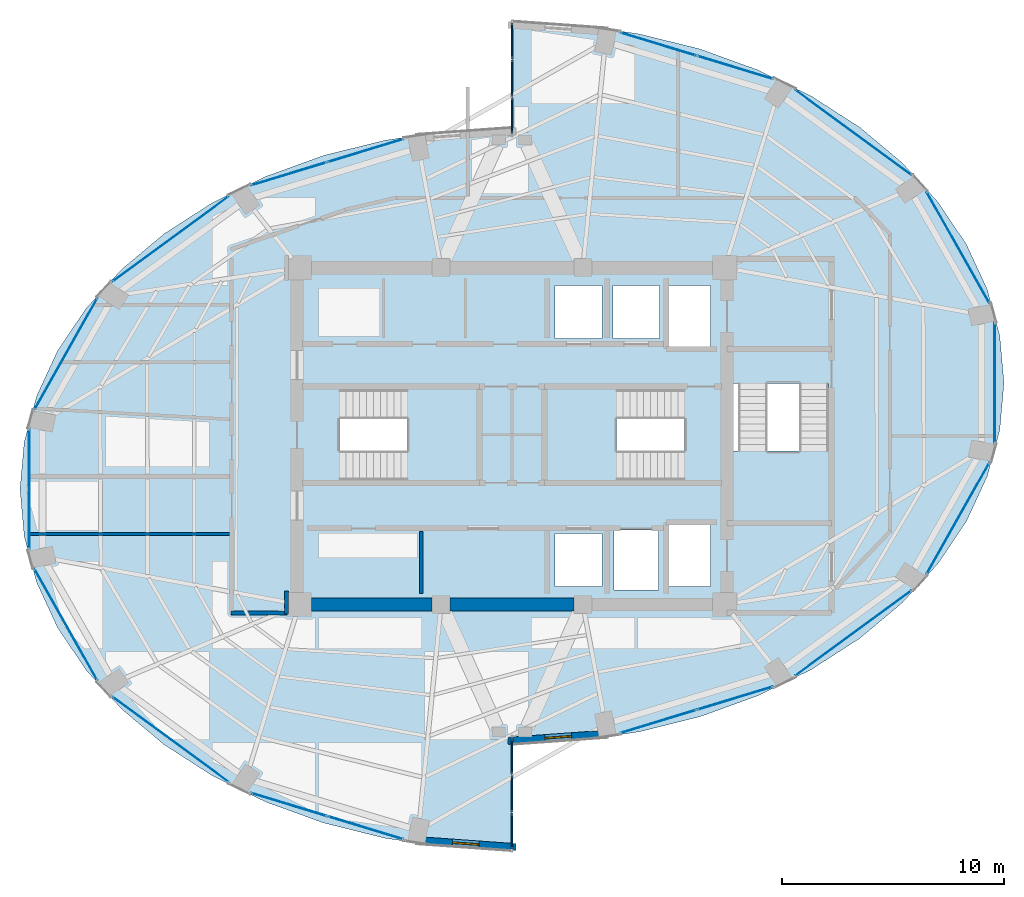
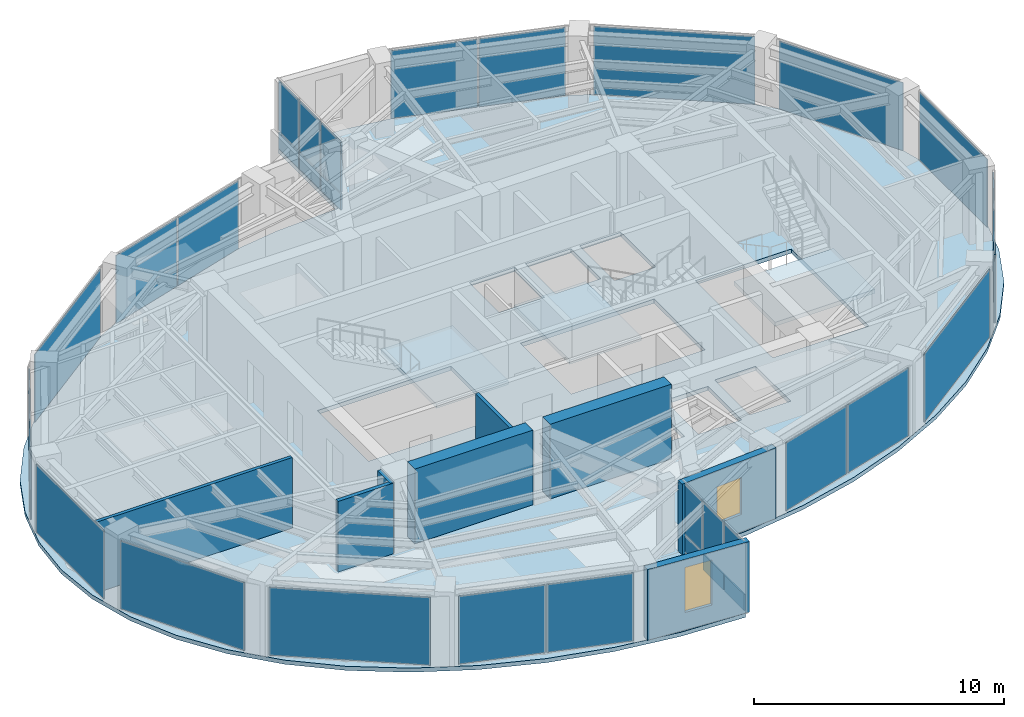
# One storey, part 18 of 23: 30 plates, 8 walls, 4 slabs, 2 windows, 2 openings, 19 elements without a shape of their own.
"""IFC4 building model written with IfcOpenShell, lengths in metres."""

from ifc_helpers import new_model, si_unit, direction, frame, frame_2d, origin, origin_2d, place, context, subcontext, project, spatial, polyline, rectangle, outline, extrude, material, layer, layer_set, type_object, element, fill, aggregate, save


model = new_model("IFC4")

# Units and contexts
model_context = context("Model", 3, precision=1e-05, world=origin(), true_north=direction((0.0, 1.0)))
body_context = subcontext(model_context, "Body", "Model", "MODEL_VIEW")
ifc_project = project(units=[si_unit("LENGTHUNIT", "METRE"), si_unit("AREAUNIT", "SQUARE_METRE"), si_unit("VOLUMEUNIT", "CUBIC_METRE"), si_unit("PLANEANGLEUNIT", "RADIAN"), si_unit("MASSUNIT", "GRAM", prefix="KILO")], contexts=[model_context])

# Site, building, storey
site_placement = place(None, origin())
site = spatial("IfcSite", under=ifc_project, at=site_placement, CompositionType="ELEMENT")
building_placement = place(site_placement, origin())
building = spatial("IfcBuilding", under=site, at=building_placement, Name="Lazwardi Medical Tower", CompositionType="ELEMENT")
storey_placement = place(building_placement, frame((0.0, 0.0, 209.424072265625)))
storey = spatial("IfcBuildingStorey", under=building, at=storey_placement, Name="L54", CompositionType="ELEMENT", Elevation=209.424072265625)

# Curtain wall, plates
ifc_material_1 = material(Name="Anodised bronze aluminium and solar control glazing", Category="aluminium")
ifc_layer_1 = layer(ifc_material_1, 0.18994140625)
ifc_layer_set_1 = layer_set([ifc_layer_1], Name="Anodised bronze aluminium and solar control glazing")
curtain_wall_type_1 = type_object("IfcCurtainWallType", Name="CW-SYS-04", PredefinedType="NOTDEFINED", material=ifc_layer_set_1)
curtain_wall_1_placement = place(storey_placement, origin())
curtain_wall_1 = element("IfcCurtainWall", 1, at=curtain_wall_1_placement, inside=storey, type_object=curtain_wall_type_1, Name="L54 Unitised bronze curtain wall CW-04", PredefinedType="NOTDEFINED")
ifc_material_2 = material(Name="Low-e bronze solar control double glazing", Category="glass")
ifc_layer_2 = layer(ifc_material_2, 0.035888671875)
ifc_layer_set_2 = layer_set([ifc_layer_2], Name="Low-e bronze solar control double glazing")
plate_type_1 = type_object("IfcPlateType", Name="PLT-GLZ-01", PredefinedType="CURTAIN_PANEL", material=ifc_layer_set_2)
plate_1_placement = place(storey_placement, frame((42.604736328125, 15.118896484375, 0.06494140625), z_axis=(0.0, 0.0, 1.0), x_axis=(0.956850126972, 0.290581889515, 0.0)))
plate_1 = element("IfcPlate", 2, at=plate_1_placement, type_object=plate_type_1, Name="CW-04 panel 1.1", PredefinedType="CURTAIN_PANEL", context=body_context, shape_type="SweptSolid", body=[
    extrude(rectangle(XDim=3.554443359375, YDim=0.035888671875, at=origin_2d()), origin(), (0.0, 0.0, 1.0), 3.318115234375),
])
plate_2_placement = place(storey_placement, frame((46.068115234375, 16.170654296875, 0.06494140625), z_axis=(0.0, 0.0, 1.0), x_axis=(0.956850126972, 0.290581889515, 0.0)))
plate_2 = element("IfcPlate", 3, at=plate_2_placement, type_object=plate_type_1, Name="CW-04 panel 2.1", PredefinedType="CURTAIN_PANEL", context=body_context, shape_type="SweptSolid", body=[
    extrude(rectangle(XDim=3.554443359375, YDim=0.035888671875, at=origin_2d()), origin(), (0.0, 0.0, 1.0), 3.318115234375),
])
aggregate(curtain_wall_1, [plate_1, plate_2])

# Curtain wall, plate
curtain_wall_2_placement = place(storey_placement, origin())
curtain_wall_2 = element("IfcCurtainWall", 4, at=curtain_wall_2_placement, inside=storey, type_object=curtain_wall_type_1, Name="L54 Unitised bronze curtain wall CW-04", PredefinedType="NOTDEFINED")
plate_3_placement = place(storey_placement, frame((51.403564453125, 19.106689453125, 0.06494140625), z_axis=(0.0, 0.0, 1.0), x_axis=(0.806474971121, 0.591268230971, 0.0)))
plate_3 = element("IfcPlate", 5, at=plate_3_placement, type_object=plate_type_1, Name="CW-04 panel 1.1", PredefinedType="CURTAIN_PANEL", context=body_context, shape_type="SweptSolid", body=[
    extrude(rectangle(XDim=6.502685546875, YDim=0.035888671875, at=origin_2d()), origin(), (0.0, 0.0, 1.0), 3.318115234375),
])
aggregate(curtain_wall_2, [plate_3])

curtain_wall_3_placement = place(storey_placement, origin())
curtain_wall_3 = element("IfcCurtainWall", 6, at=curtain_wall_3_placement, inside=storey, type_object=curtain_wall_type_1, Name="L54 Unitised bronze curtain wall CW-04", PredefinedType="NOTDEFINED")
plate_4_placement = place(storey_placement, frame((56.125732421875, 24.2880859375, 0.06494140625), z_axis=(0.0, 0.0, 1.0), x_axis=(0.491900474661, 0.870651436011, 0.0)))
plate_4 = element("IfcPlate", 7, at=plate_4_placement, type_object=plate_type_1, Name="CW-04 panel 1.1", PredefinedType="CURTAIN_PANEL", context=body_context, shape_type="SweptSolid", body=[
    extrude(rectangle(XDim=5.755126953125, YDim=0.035888671875, at=origin_2d()), origin(), (0.0, 0.0, 1.0), 3.318115234375),
])
aggregate(curtain_wall_3, [plate_4])

curtain_wall_4_placement = place(storey_placement, origin())
curtain_wall_4 = element("IfcCurtainWall", 8, at=curtain_wall_4_placement, inside=storey, type_object=curtain_wall_type_1, Name="L54 Unitised bronze curtain wall CW-04", PredefinedType="NOTDEFINED")
plate_5_placement = place(storey_placement, frame((57.7841796875, 30.39990234375, 0.06494140625), z_axis=(0.0, 0.0, 1.0), x_axis=(0.0, 1.0, 0.0)))
plate_5 = element("IfcPlate", 9, at=plate_5_placement, type_object=plate_type_1, Name="CW-04 panel 1.1", PredefinedType="CURTAIN_PANEL", context=body_context, shape_type="SweptSolid", body=[
    extrude(rectangle(XDim=5.416015625, YDim=0.035888671875, at=origin_2d()), origin(), (0.0, 0.0, 1.0), 3.318115234375),
])
aggregate(curtain_wall_4, [plate_5])

curtain_wall_5_placement = place(storey_placement, origin())
curtain_wall_5 = element("IfcCurtainWall", 10, at=curtain_wall_5_placement, inside=storey, type_object=curtain_wall_type_1, Name="L54 Unitised bronze curtain wall CW-04", PredefinedType="NOTDEFINED")
plate_6_placement = place(storey_placement, frame((56.125732421875, 36.511962890625, 0.06494140625), z_axis=(0.0, 0.0, 1.0), x_axis=(-0.491900474661, 0.870651436011, 0.0)))
plate_6 = element("IfcPlate", 11, at=plate_6_placement, type_object=plate_type_1, Name="CW-04 panel 1.1", PredefinedType="CURTAIN_PANEL", context=body_context, shape_type="SweptSolid", body=[
    extrude(rectangle(XDim=5.755126953125, YDim=0.035888671875, at=origin_2d()), origin(), (0.0, 0.0, 1.0), 3.318115234375),
])
aggregate(curtain_wall_5, [plate_6])

curtain_wall_6_placement = place(storey_placement, origin())
curtain_wall_6 = element("IfcCurtainWall", 12, at=curtain_wall_6_placement, inside=storey, type_object=curtain_wall_type_1, Name="L54 Unitised bronze curtain wall CW-04", PredefinedType="NOTDEFINED")
plate_7_placement = place(storey_placement, frame((51.403564453125, 41.693359375, 0.06494140625), z_axis=(0.0, 0.0, 1.0), x_axis=(-0.806474971121, 0.591268230971, 0.0)))
plate_7 = element("IfcPlate", 13, at=plate_7_placement, type_object=plate_type_1, Name="CW-04 panel 1.1", PredefinedType="CURTAIN_PANEL", context=body_context, shape_type="SweptSolid", body=[
    extrude(rectangle(XDim=6.502685546875, YDim=0.035888671875, at=origin_2d()), origin(), (0.0, 0.0, 1.0), 3.318115234375),
])
aggregate(curtain_wall_6, [plate_7])

# Curtain wall, plates
curtain_wall_7_placement = place(storey_placement, origin())
curtain_wall_7 = element("IfcCurtainWall", 14, at=curtain_wall_7_placement, inside=storey, type_object=curtain_wall_type_1, Name="L54 Unitised bronze curtain wall CW-04", PredefinedType="NOTDEFINED")
plate_8_placement = place(storey_placement, frame((46.068115234375, 44.62939453125, 0.06494140625), z_axis=(0.0, 0.0, 1.0), x_axis=(-0.956850126972, 0.290581889515, 0.0)))
plate_8 = element("IfcPlate", 15, at=plate_8_placement, type_object=plate_type_1, Name="CW-04 panel 1.1", PredefinedType="CURTAIN_PANEL", context=body_context, shape_type="SweptSolid", body=[
    extrude(rectangle(XDim=3.554443359375, YDim=0.035888671875, at=origin_2d()), origin(), (0.0, 0.0, 1.0), 3.318115234375),
])
plate_9_placement = place(storey_placement, frame((42.604736328125, 45.68115234375, 0.06494140625), z_axis=(0.0, 0.0, 1.0), x_axis=(-0.956850126972, 0.290581889515, 0.0)))
plate_9 = element("IfcPlate", 16, at=plate_9_placement, type_object=plate_type_1, Name="CW-04 panel 2.1", PredefinedType="CURTAIN_PANEL", context=body_context, shape_type="SweptSolid", body=[
    extrude(rectangle(XDim=3.554443359375, YDim=0.035888671875, at=origin_2d()), origin(), (0.0, 0.0, 1.0), 3.318115234375),
])
aggregate(curtain_wall_7, [plate_8, plate_9])

curtain_wall_8_placement = place(storey_placement, origin())
curtain_wall_8 = element("IfcCurtainWall", 17, at=curtain_wall_8_placement, inside=storey, type_object=curtain_wall_type_1, Name="L54 Unitised bronze curtain wall CW-04", PredefinedType="NOTDEFINED")
plate_10_placement = place(storey_placement, frame((29.395263671875, 40.881103515625, 0.06494140625), z_axis=(0.0, 0.0, 1.0), x_axis=(-0.956850126972, -0.290581889515, 0.0)))
plate_10 = element("IfcPlate", 18, at=plate_10_placement, type_object=plate_type_1, Name="CW-04 panel 1.1", PredefinedType="CURTAIN_PANEL", context=body_context, shape_type="SweptSolid", body=[
    extrude(rectangle(XDim=3.554443359375, YDim=0.035888671875, at=origin_2d()), origin(), (0.0, 0.0, 1.0), 3.318115234375),
])
plate_11_placement = place(storey_placement, frame((25.931884765625, 39.829345703125, 0.06494140625), z_axis=(0.0, 0.0, 1.0), x_axis=(-0.956850126972, -0.290581889515, 0.0)))
plate_11 = element("IfcPlate", 19, at=plate_11_placement, type_object=plate_type_1, Name="CW-04 panel 2.1", PredefinedType="CURTAIN_PANEL", context=body_context, shape_type="SweptSolid", body=[
    extrude(rectangle(XDim=3.554443359375, YDim=0.035888671875, at=origin_2d()), origin(), (0.0, 0.0, 1.0), 3.318115234375),
])
aggregate(curtain_wall_8, [plate_10, plate_11])

# Curtain wall, plate
curtain_wall_9_placement = place(storey_placement, origin())
curtain_wall_9 = element("IfcCurtainWall", 20, at=curtain_wall_9_placement, inside=storey, type_object=curtain_wall_type_1, Name="L54 Unitised bronze curtain wall CW-04", PredefinedType="NOTDEFINED")
plate_12_placement = place(storey_placement, frame((20.596435546875, 36.893310546875, 0.06494140625), z_axis=(0.0, 0.0, 1.0), x_axis=(-0.806474971121, -0.591268230971, 0.0)))
plate_12 = element("IfcPlate", 21, at=plate_12_placement, type_object=plate_type_1, Name="CW-04 panel 1.1", PredefinedType="CURTAIN_PANEL", context=body_context, shape_type="SweptSolid", body=[
    extrude(rectangle(XDim=6.502685546875, YDim=0.035888671875, at=origin_2d()), origin(), (0.0, 0.0, 1.0), 3.318115234375),
])
aggregate(curtain_wall_9, [plate_12])

curtain_wall_10_placement = place(storey_placement, origin())
curtain_wall_10 = element("IfcCurtainWall", 22, at=curtain_wall_10_placement, inside=storey, type_object=curtain_wall_type_1, Name="L54 Unitised bronze curtain wall CW-04", PredefinedType="NOTDEFINED")
plate_13_placement = place(storey_placement, frame((15.874267578125, 31.7119140625, 0.06494140625), z_axis=(0.0, 0.0, 1.0), x_axis=(-0.491900474661, -0.870651436011, 0.0)))
plate_13 = element("IfcPlate", 23, at=plate_13_placement, type_object=plate_type_1, Name="CW-04 panel 1.1", PredefinedType="CURTAIN_PANEL", context=body_context, shape_type="SweptSolid", body=[
    extrude(rectangle(XDim=5.755126953125, YDim=0.035888671875, at=origin_2d()), origin(), (0.0, 0.0, 1.0), 3.318115234375),
])
aggregate(curtain_wall_10, [plate_13])

curtain_wall_11_placement = place(storey_placement, origin())
curtain_wall_11 = element("IfcCurtainWall", 24, at=curtain_wall_11_placement, inside=storey, type_object=curtain_wall_type_1, Name="L54 Unitised bronze curtain wall CW-04", PredefinedType="NOTDEFINED")
plate_14_placement = place(storey_placement, frame((14.2158203125, 25.60009765625, 0.06494140625), z_axis=(0.0, 0.0, 1.0), x_axis=(0.0, -1.0, 0.0)))
plate_14 = element("IfcPlate", 25, at=plate_14_placement, type_object=plate_type_1, Name="CW-04 panel 1.1", PredefinedType="CURTAIN_PANEL", context=body_context, shape_type="SweptSolid", body=[
    extrude(rectangle(XDim=5.416015625, YDim=0.035888671875, at=origin_2d()), origin(), (0.0, 0.0, 1.0), 3.318115234375),
])
aggregate(curtain_wall_11, [plate_14])

curtain_wall_12_placement = place(storey_placement, origin())
curtain_wall_12 = element("IfcCurtainWall", 26, at=curtain_wall_12_placement, inside=storey, type_object=curtain_wall_type_1, Name="L54 Unitised bronze curtain wall CW-04", PredefinedType="NOTDEFINED")
plate_15_placement = place(storey_placement, frame((15.874267578125, 19.488037109375, 0.06494140625), z_axis=(0.0, 0.0, 1.0), x_axis=(0.491900474661, -0.870651436011, 0.0)))
plate_15 = element("IfcPlate", 27, at=plate_15_placement, type_object=plate_type_1, Name="CW-04 panel 1.1", PredefinedType="CURTAIN_PANEL", context=body_context, shape_type="SweptSolid", body=[
    extrude(rectangle(XDim=5.755126953125, YDim=0.035888671875, at=origin_2d()), origin(), (0.0, 0.0, 1.0), 3.318115234375),
])
aggregate(curtain_wall_12, [plate_15])

curtain_wall_13_placement = place(storey_placement, origin())
curtain_wall_13 = element("IfcCurtainWall", 28, at=curtain_wall_13_placement, inside=storey, type_object=curtain_wall_type_1, Name="L54 Unitised bronze curtain wall CW-04", PredefinedType="NOTDEFINED")
plate_16_placement = place(storey_placement, frame((20.596435546875, 14.306640625, 0.06494140625), z_axis=(0.0, 0.0, 1.0), x_axis=(0.806474971121, -0.591268230971, 0.0)))
plate_16 = element("IfcPlate", 29, at=plate_16_placement, type_object=plate_type_1, Name="CW-04 panel 1.1", PredefinedType="CURTAIN_PANEL", context=body_context, shape_type="SweptSolid", body=[
    extrude(rectangle(XDim=6.502685546875, YDim=0.035888671875, at=origin_2d()), origin(), (0.0, 0.0, 1.0), 3.318115234375),
])
aggregate(curtain_wall_13, [plate_16])

# Curtain wall, plates
curtain_wall_14_placement = place(storey_placement, origin())
curtain_wall_14 = element("IfcCurtainWall", 30, at=curtain_wall_14_placement, inside=storey, type_object=curtain_wall_type_1, Name="L54 Unitised bronze curtain wall CW-04", PredefinedType="NOTDEFINED")
plate_17_placement = place(storey_placement, frame((25.931884765625, 11.37060546875, 0.06494140625), z_axis=(0.0, 0.0, 1.0), x_axis=(0.956850126972, -0.290581889515, 0.0)))
plate_17 = element("IfcPlate", 31, at=plate_17_placement, type_object=plate_type_1, Name="CW-04 panel 1.1", PredefinedType="CURTAIN_PANEL", context=body_context, shape_type="SweptSolid", body=[
    extrude(rectangle(XDim=3.554443359375, YDim=0.035888671875, at=origin_2d()), origin(), (0.0, 0.0, 1.0), 3.318115234375),
])
plate_18_placement = place(storey_placement, frame((29.395263671875, 10.31884765625, 0.06494140625), z_axis=(0.0, 0.0, 1.0), x_axis=(0.956850126972, -0.290581889515, 0.0)))
plate_18 = element("IfcPlate", 32, at=plate_18_placement, type_object=plate_type_1, Name="CW-04 panel 2.1", PredefinedType="CURTAIN_PANEL", context=body_context, shape_type="SweptSolid", body=[
    extrude(rectangle(XDim=3.554443359375, YDim=0.035888671875, at=origin_2d()), origin(), (0.0, 0.0, 1.0), 3.318115234375),
])
aggregate(curtain_wall_14, [plate_17, plate_18])

ifc_layer_3 = layer(ifc_material_1, 0.2099609375)
ifc_layer_set_3 = layer_set([ifc_layer_3], Name="Anodised bronze aluminium and solar control glazing")
curtain_wall_type_2 = type_object("IfcCurtainWallType", Name="CW-SYS-06", PredefinedType="NOTDEFINED", material=ifc_layer_set_3)
curtain_wall_15_placement = place(storey_placement, origin())
curtain_wall_15 = element("IfcCurtainWall", 33, at=curtain_wall_15_placement, inside=storey, type_object=curtain_wall_type_2, Name="L54 Unitised bronze curtain wall CW-06", PredefinedType="NOTDEFINED")
ifc_material_3 = material(Name="Turquoise glazed ceramic insulated panel", Category="glass")
ifc_layer_4 = layer(ifc_material_3, 0.053955078125)
ifc_layer_set_4 = layer_set([ifc_layer_4], Name="Turquoise glazed ceramic insulated panel")
plate_type_2 = type_object("IfcPlateType", Name="PLT-TRQ-01", PredefinedType="CURTAIN_PANEL", material=ifc_layer_set_4)
plate_19_placement = place(storey_placement, frame((36.0, 45.827880859375, 0.074951171875), z_axis=(0.0, 0.0, 1.0), x_axis=(0.0, -1.0, 0.0)))
plate_19 = element("IfcPlate", 34, at=plate_19_placement, type_object=plate_type_2, Name="CW-06 panel 1.1", PredefinedType="CURTAIN_PANEL", context=body_context, shape_type="SweptSolid", body=[
    extrude(rectangle(XDim=1.59423828125, YDim=0.053955078125, at=origin_2d()), origin(), (0.0, 0.0, 1.0), 0.78759765625),
])
plate_20_placement = place(storey_placement, frame((36.0, 45.827880859375, 0.9375), z_axis=(0.0, 0.0, 1.0), x_axis=(0.0, -1.0, 0.0)))
plate_20 = element("IfcPlate", 35, at=plate_20_placement, type_object=plate_type_2, Name="CW-06 panel 1.2", PredefinedType="CURTAIN_PANEL", context=body_context, shape_type="SweptSolid", body=[
    extrude(rectangle(XDim=1.59423828125, YDim=0.053955078125, at=origin_2d()), origin(), (0.0, 0.0, 1.0), 2.435546875),
])
plate_21_placement = place(storey_placement, frame((36.0, 44.139892578125, 0.074951171875), z_axis=(0.0, 0.0, 1.0), x_axis=(0.0, -1.0, 0.0)))
plate_21 = element("IfcPlate", 36, at=plate_21_placement, type_object=plate_type_2, Name="CW-06 panel 2.1", PredefinedType="CURTAIN_PANEL", context=body_context, shape_type="SweptSolid", body=[
    extrude(rectangle(XDim=1.631591796875, YDim=0.053955078125, at=origin_2d()), origin(), (0.0, 0.0, 1.0), 0.78759765625),
])
plate_22_placement = place(storey_placement, frame((36.0, 44.139892578125, 0.9375), z_axis=(0.0, 0.0, 1.0), x_axis=(0.0, -1.0, 0.0)))
plate_22 = element("IfcPlate", 37, at=plate_22_placement, type_object=plate_type_2, Name="CW-06 panel 2.2", PredefinedType="CURTAIN_PANEL", context=body_context, shape_type="SweptSolid", body=[
    extrude(rectangle(XDim=1.631591796875, YDim=0.053955078125, at=origin_2d()), origin(), (0.0, 0.0, 1.0), 2.435546875),
])
plate_23_placement = place(storey_placement, frame((36.0, 42.4521484375, 0.074951171875), z_axis=(0.0, 0.0, 1.0), x_axis=(0.0, -1.0, 0.0)))
plate_23 = element("IfcPlate", 38, at=plate_23_placement, type_object=plate_type_2, Name="CW-06 panel 3.1", PredefinedType="CURTAIN_PANEL", context=body_context, shape_type="SweptSolid", body=[
    extrude(rectangle(XDim=1.59423828125, YDim=0.053955078125, at=origin_2d()), origin(), (0.0, 0.0, 1.0), 0.78759765625),
])
plate_24_placement = place(storey_placement, frame((36.0, 42.4521484375, 0.9375), z_axis=(0.0, 0.0, 1.0), x_axis=(0.0, -1.0, 0.0)))
plate_24 = element("IfcPlate", 39, at=plate_24_placement, type_object=plate_type_2, Name="CW-06 panel 3.2", PredefinedType="CURTAIN_PANEL", context=body_context, shape_type="SweptSolid", body=[
    extrude(rectangle(XDim=1.59423828125, YDim=0.053955078125, at=origin_2d()), origin(), (0.0, 0.0, 1.0), 2.435546875),
])
aggregate(curtain_wall_15, [plate_19, plate_20, plate_21, plate_22, plate_23, plate_24])

curtain_wall_16_placement = place(storey_placement, origin())
curtain_wall_16 = element("IfcCurtainWall", 40, at=curtain_wall_16_placement, inside=storey, type_object=curtain_wall_type_2, Name="L54 Unitised bronze curtain wall CW-06", PredefinedType="NOTDEFINED")
plate_25_placement = place(storey_placement, frame((36.0, 10.172119140625, 0.074951171875), z_axis=(0.0, 0.0, 1.0), x_axis=(0.0, 1.0, 0.0)))
plate_25 = element("IfcPlate", 41, at=plate_25_placement, type_object=plate_type_2, Name="CW-06 panel 1.1", PredefinedType="CURTAIN_PANEL", context=body_context, shape_type="SweptSolid", body=[
    extrude(rectangle(XDim=1.59423828125, YDim=0.053955078125, at=origin_2d()), origin(), (0.0, 0.0, 1.0), 0.78759765625),
])
plate_26_placement = place(storey_placement, frame((36.0, 10.172119140625, 0.9375), z_axis=(0.0, 0.0, 1.0), x_axis=(0.0, 1.0, 0.0)))
plate_26 = element("IfcPlate", 42, at=plate_26_placement, type_object=plate_type_2, Name="CW-06 panel 1.2", PredefinedType="CURTAIN_PANEL", context=body_context, shape_type="SweptSolid", body=[
    extrude(rectangle(XDim=1.59423828125, YDim=0.053955078125, at=origin_2d()), origin(), (0.0, 0.0, 1.0), 2.435546875),
])
plate_27_placement = place(storey_placement, frame((36.0, 11.860107421875, 0.074951171875), z_axis=(0.0, 0.0, 1.0), x_axis=(0.0, 1.0, 0.0)))
plate_27 = element("IfcPlate", 43, at=plate_27_placement, type_object=plate_type_2, Name="CW-06 panel 2.1", PredefinedType="CURTAIN_PANEL", context=body_context, shape_type="SweptSolid", body=[
    extrude(rectangle(XDim=1.631591796875, YDim=0.053955078125, at=origin_2d()), origin(), (0.0, 0.0, 1.0), 0.78759765625),
])
plate_28_placement = place(storey_placement, frame((36.0, 11.860107421875, 0.9375), z_axis=(0.0, 0.0, 1.0), x_axis=(0.0, 1.0, 0.0)))
plate_28 = element("IfcPlate", 44, at=plate_28_placement, type_object=plate_type_2, Name="CW-06 panel 2.2", PredefinedType="CURTAIN_PANEL", context=body_context, shape_type="SweptSolid", body=[
    extrude(rectangle(XDim=1.631591796875, YDim=0.053955078125, at=origin_2d()), origin(), (0.0, 0.0, 1.0), 2.435546875),
])
plate_29_placement = place(storey_placement, frame((36.0, 13.5478515625, 0.074951171875), z_axis=(0.0, 0.0, 1.0), x_axis=(0.0, 1.0, 0.0)))
plate_29 = element("IfcPlate", 45, at=plate_29_placement, type_object=plate_type_2, Name="CW-06 panel 3.1", PredefinedType="CURTAIN_PANEL", context=body_context, shape_type="SweptSolid", body=[
    extrude(rectangle(XDim=1.59423828125, YDim=0.053955078125, at=origin_2d()), origin(), (0.0, 0.0, 1.0), 0.78759765625),
])
plate_30_placement = place(storey_placement, frame((36.0, 13.5478515625, 0.9375), z_axis=(0.0, 0.0, 1.0), x_axis=(0.0, 1.0, 0.0)))
plate_30 = element("IfcPlate", 46, at=plate_30_placement, type_object=plate_type_2, Name="CW-06 panel 3.2", PredefinedType="CURTAIN_PANEL", context=body_context, shape_type="SweptSolid", body=[
    extrude(rectangle(XDim=1.59423828125, YDim=0.053955078125, at=origin_2d()), origin(), (0.0, 0.0, 1.0), 2.435546875),
])
aggregate(curtain_wall_16, [plate_25, plate_26, plate_27, plate_28, plate_29, plate_30])

# Stair, slab
ifc_material_4 = material(Name="Concrete C45/55", Category="concrete")
stair_type = type_object("IfcStairType", Name="STR-WRD", PredefinedType="HALF_TURN_STAIR", material=ifc_material_4)
stair_1_placement = place(storey_placement, origin())
stair_1 = element("IfcStair", 47, at=stair_1_placement, inside=storey, type_object=stair_type, Name="L54 Protected Exit Stair ST1", PredefinedType="HALF_TURN_STAIR")
ifc_layer_5 = layer(ifc_material_4, 0.199951171875)
ifc_layer_set_5 = layer_set([ifc_layer_5], Name="Concrete C45/55")
slab_type_1 = type_object("IfcSlabType", Name="SLB-LND-190", PredefinedType="LANDING", material=ifc_layer_set_5)
slab_1_placement = place(storey_placement, frame((0.0, 0.0, 1.6240234375)))
slab_1 = element("IfcSlab", 48, at=slab_1_placement, type_object=slab_type_1, Name="ST1 landing 1", PredefinedType="LANDING", context=body_context, shape_type="SweptSolid", body=[
    extrude(outline(polyline([(31.27490234375, 25.840087890625), (34.580078125, 25.840087890625), (34.580078125, 30.280029296875), (31.27490234375, 30.280029296875), (31.27490234375, 25.840087890625)])), origin(), (0.0, 0.0, 1.0), 0.199951171875),
])
aggregate(stair_1, [slab_1])

stair_2_placement = place(storey_placement, origin())
stair_2 = element("IfcStair", 49, at=stair_2_placement, inside=storey, type_object=stair_type, Name="L54 Protected Exit Stair ST2", PredefinedType="HALF_TURN_STAIR")
slab_2_placement = place(storey_placement, frame((0.0, 0.0, 1.6240234375)))
slab_2 = element("IfcSlab", 50, at=slab_2_placement, type_object=slab_type_1, Name="ST2 landing 1", PredefinedType="LANDING", context=body_context, shape_type="SweptSolid", body=[
    extrude(outline(polyline([(40.72509765625, 30.280029296875), (37.419921875, 30.280029296875), (37.419921875, 25.840087890625), (40.72509765625, 25.840087890625), (40.72509765625, 30.280029296875)])), origin(), (0.0, 0.0, 1.0), 0.199951171875),
])
aggregate(stair_2, [slab_2])

stair_3_placement = place(storey_placement, origin())
stair_3 = element("IfcStair", 51, at=stair_3_placement, inside=storey, type_object=stair_type, Name="L54 Protected Exit Stair ST3", PredefinedType="HALF_TURN_STAIR")
slab_3_placement = place(storey_placement, frame((0.0, 0.0, 1.6240234375)))
slab_3 = element("IfcSlab", 52, at=slab_3_placement, type_object=slab_type_1, Name="ST3 landing 1", PredefinedType="LANDING", context=body_context, shape_type="SweptSolid", body=[
    extrude(outline(polyline([(45.860107421875, 27.324951171875), (45.860107421875, 24.02001953125), (50.4599609375, 24.02001953125), (50.4599609375, 27.324951171875), (45.860107421875, 27.324951171875)])), origin(), (0.0, 0.0, 1.0), 0.199951171875),
])
aggregate(stair_3, [slab_3])

# Slab
ifc_material_5 = material(Name="Concrete C50/60", Category="concrete")
ifc_layer_6 = layer(ifc_material_5, 0.199951171875)
ifc_layer_set_6 = layer_set([ifc_layer_6], Name="Concrete C50/60")
slab_type_2 = type_object("IfcSlabType", Name="SLB-UPP-200", PredefinedType="FLOOR", material=ifc_layer_set_6)
slab_4_placement = place(storey_placement, frame((0.0, 0.0, -0.199951171875)))
element("IfcSlab", 53, at=slab_4_placement, inside=storey, type_object=slab_type_2, Name="Structural floor slab SF-04 L54", PredefinedType="FLOOR", context=body_context, shape_type="SweptSolid", body=[
    extrude(outline(polyline([(18.3876953125, 15.67724609375), (20.30224609375, 14.07421875), (22.485595703125, 12.668212890625), (24.89990234375, 11.48388671875), (27.50439453125, 10.540771484375), (30.254150390625, 9.85546875), (33.102294921875, 9.439453125), (36.0, 9.300048828125), (36.0, 14.10009765625), (38.897705078125, 14.239501953125), (41.745849609375, 14.655517578125), (44.49560546875, 15.3408203125), (47.10009765625, 16.28369140625), (49.514404296875, 17.46826171875), (51.69775390625, 18.874267578125), (53.6123046875, 20.477294921875), (55.225830078125, 22.25), (56.510009765625, 24.162353515625), (57.443603515625, 26.18115234375), (58.010009765625, 28.2724609375), (58.199951171875, 30.39990234375), (58.010009765625, 32.527587890625), (57.443603515625, 34.618896484375), (56.510009765625, 36.6376953125), (55.225830078125, 38.550048828125), (53.6123046875, 40.32275390625), (51.69775390625, 41.92578125), (49.514404296875, 43.331787109375), (47.10009765625, 44.51611328125), (44.49560546875, 45.459228515625), (41.745849609375, 46.14453125), (38.897705078125, 46.560546875), (36.0, 46.699951171875), (36.0, 41.89990234375), (33.102294921875, 41.760498046875), (30.254150390625, 41.344482421875), (27.50439453125, 40.6591796875), (24.89990234375, 39.71630859375), (22.485595703125, 38.53173828125), (20.30224609375, 37.125732421875), (18.3876953125, 35.522705078125), (16.774169921875, 33.75), (15.489990234375, 31.837646484375), (14.556396484375, 29.81884765625), (13.989990234375, 27.7275390625), (13.800048828125, 25.60009765625), (13.989990234375, 23.472412109375), (14.556396484375, 21.381103515625), (15.489990234375, 19.3623046875), (16.774169921875, 17.449951171875), (18.3876953125, 15.67724609375)]), holes=[polyline([(28.22509765625, 26.02001953125), (28.22509765625, 30.10009765625), (34.39990234375, 30.10009765625), (34.39990234375, 26.02001953125), (28.22509765625, 26.02001953125)]), polyline([(37.60009765625, 30.10009765625), (43.77490234375, 30.10009765625), (43.77490234375, 26.02001953125), (37.60009765625, 26.02001953125), (37.60009765625, 30.10009765625)]), polyline([(50.280029296875, 30.375), (50.280029296875, 24.179931640625), (45.840087890625, 24.179931640625), (45.840087890625, 30.375), (50.280029296875, 30.375)]), polyline([(40.050048828125, 32.39990234375), (37.949951171875, 32.39990234375), (37.949951171875, 34.800048828125), (40.050048828125, 34.800048828125), (40.050048828125, 32.39990234375)]), polyline([(40.550048828125, 32.39990234375), (40.550048828125, 34.800048828125), (42.64990234375, 34.800048828125), (42.64990234375, 32.39990234375), (40.550048828125, 32.39990234375)]), polyline([(37.949951171875, 23.60009765625), (40.050048828125, 23.60009765625), (40.050048828125, 21.199951171875), (37.949951171875, 21.199951171875), (37.949951171875, 23.60009765625)]), polyline([(44.949951171875, 34.800048828125), (44.949951171875, 32.0), (43.050048828125, 32.0), (43.050048828125, 34.800048828125), (44.949951171875, 34.800048828125)]), polyline([(44.949951171875, 21.199951171875), (43.050048828125, 21.199951171875), (43.050048828125, 24.0), (44.949951171875, 24.0), (44.949951171875, 21.199951171875)]), polyline([(40.60009765625, 21.050048828125), (40.60009765625, 23.75), (42.60009765625, 23.75), (42.60009765625, 21.050048828125), (40.60009765625, 21.050048828125)])]), origin(), (0.0, 0.0, 1.0), 0.199951171875),
])

# Walls
ifc_material_6 = material(Name="Fire-rated gypsum board on steel stud", Category="steel")
ifc_layer_7 = layer(ifc_material_6, 0.179931640625)
ifc_layer_set_7 = layer_set([ifc_layer_7], Name="Fire-rated gypsum board on steel stud")
wall_type_1 = type_object("IfcWallType", Name="WL-COR-180", PredefinedType="PARTITIONING", material=ifc_layer_set_7)
wall_1_placement = place(storey_placement, frame((25.830078125, 21.010009765625, 0.0), z_axis=(0.0, 0.0, 1.0), x_axis=(0.0, -1.0, 0.0)))
element("IfcWall", 54, at=wall_1_placement, inside=storey, type_object=wall_type_1, Name="L54 Corridor partition 8", PredefinedType="PARTITIONING", context=body_context, shape_type="SweptSolid", body=[
    extrude(rectangle(XDim=1.030029296875, YDim=0.179931640625, at=frame_2d((0.51513671875, 0.0))), origin(), (0.0, 0.0, 1.0), 3.447998046875),
])
wall_2_placement = place(storey_placement, frame((25.8701171875, 20.02001953125, 0.0), z_axis=(0.0, 0.0, 1.0), x_axis=(-1.0, 0.0, 0.0)))
element("IfcWall", 55, at=wall_2_placement, inside=storey, type_object=wall_type_1, Name="L54 Corridor partition 9", PredefinedType="PARTITIONING", context=body_context, shape_type="SweptSolid", body=[
    extrude(rectangle(XDim=2.56005859375, YDim=0.179931640625, at=frame_2d((1.280029296875, 0.0))), origin(), (0.0, 0.0, 1.0), 3.447998046875),
])
ifc_material_7 = material(Name="Concrete C60/75", Category="concrete")
ifc_layer_8 = layer(ifc_material_7, 0.60009765625)
ifc_layer_set_8 = layer_set([ifc_layer_8], Name="Concrete C60/75")
wall_type_2 = type_object("IfcWallType", Name="WL-CORE-600", PredefinedType="SHEAR", material=ifc_layer_set_8)
wall_3_placement = place(storey_placement, frame((26.949951171875, 20.39990234375, 0.0), z_axis=(0.0, 0.0, 1.0), x_axis=(1.0, 0.0, 0.0)))
element("IfcWall", 56, at=wall_3_placement, inside=storey, type_object=wall_type_2, Name="Core wall CW-S3 S1 L54", PredefinedType="SHEAR", context=body_context, shape_type="SweptSolid", body=[
    extrude(rectangle(XDim=5.449951171875, YDim=0.60009765625, at=frame_2d((2.72509765625, 0.0))), origin(), (0.0, 0.0, 1.0), 3.64794921875),
])
wall_4_placement = place(storey_placement, frame((33.199951171875, 20.39990234375, 0.0), z_axis=(0.0, 0.0, 1.0), x_axis=(1.0, 0.0, 0.0)))
element("IfcWall", 57, at=wall_4_placement, inside=storey, type_object=wall_type_2, Name="Core wall CW-S3 S2 L54", PredefinedType="SHEAR", context=body_context, shape_type="SweptSolid", body=[
    extrude(rectangle(XDim=5.60009765625, YDim=0.60009765625, at=frame_2d((2.800048828125, 0.0))), origin(), (0.0, 0.0, 1.0), 3.64794921875),
])

# Wall, opening, window
ifc_material_8 = material(Name="Precast concrete C45/55", Category="concrete")
ifc_layer_9 = layer(ifc_material_8, 0.320068359375)
ifc_layer_set_9 = layer_set([ifc_layer_9], Name="Precast concrete C45/55")
wall_type_3 = type_object("IfcWallType", Name="WL-IWAN-320", PredefinedType="SOLIDWALL", material=ifc_layer_set_9)
wall_5_placement = place(storey_placement, frame((35.820556640625, 14.2470703125, 0.0), z_axis=(0.0, 0.0, 1.0), x_axis=(0.997409061056, 0.071938619141, 0.0)))
wall_5 = element("IfcWall", 58, at=wall_5_placement, inside=storey, type_object=wall_type_3, Name="L54 Iwan Portal Return Wall SE_ret", PredefinedType="SOLIDWALL", context=body_context, shape_type="SweptSolid", body=[
    extrude(rectangle(XDim=4.540771484375, YDim=0.320068359375, at=frame_2d((2.2705078125, 0.0))), origin(), (0.0, 0.0, 1.0), 3.447998046875),
])
opening_1_placement = place(wall_5_placement, frame((1.67041015625, 0.0, 0.85009765625)))
opening_1 = element("IfcOpeningElement", 59, at=opening_1_placement, cuts=wall_5, Name="Opening WN-04", PredefinedType="OPENING", context=body_context, shape_type="SweptSolid", body=[
    extrude(rectangle(XDim=1.199951171875, YDim=1.800048828125, at=frame_2d((0.60009765625, 0.89990234375))), frame((0.0, 0.169921875, 0.0), z_axis=(0.0, -1.0, 0.0), x_axis=(1.0, 0.0, 0.0)), (0.0, 0.0, 1.0), 0.340087890625),
])
window_type_1 = type_object("IfcWindowType", Name="WIN-DRUM-1200", PartitioningType="SINGLE_PANEL", PredefinedType="WINDOW", material=ifc_material_2)
window_1_placement = place(opening_1_placement, origin())
window_1 = element("IfcWindow", 60, at=window_1_placement, inside=storey, type_object=window_type_1, Name="L54 Iwan Slot Window SE_ret", OverallHeight=1.800048828125, OverallWidth=1.199951171875, PartitioningType="SINGLE_PANEL", PredefinedType="WINDOW", context=body_context, shape_type="SweptSolid", body=[
    extrude(rectangle(XDim=1.199951171875, YDim=1.800048828125, at=frame_2d((0.60009765625, 0.89990234375))), frame((0.0, 0.030029296875, 0.0), z_axis=(0.0, -1.0, 0.0), x_axis=(1.0, 0.0, 0.0)), (0.0, 0.0, 1.0), 0.06005859375),
])
fill(opening_1, window_1)

wall_6_placement = place(storey_placement, frame((31.650390625, 9.773681640625, 0.0), z_axis=(0.0, 0.0, 1.0), x_axis=(0.997408782787, -0.071942477163, 0.0)))
wall_6 = element("IfcWall", 61, at=wall_6_placement, inside=storey, type_object=wall_type_3, Name="L54 Iwan Portal Return Wall SW_ret", PredefinedType="SOLIDWALL", context=body_context, shape_type="SweptSolid", body=[
    extrude(rectangle(XDim=4.54052734375, YDim=0.320068359375, at=frame_2d((2.270263671875, 0.0))), origin(), (0.0, 0.0, 1.0), 3.447998046875),
])
opening_2_placement = place(wall_6_placement, frame((1.67041015625, 0.0, 0.85009765625)))
opening_2 = element("IfcOpeningElement", 62, at=opening_2_placement, cuts=wall_6, Name="Opening WN-01", PredefinedType="OPENING", context=body_context, shape_type="SweptSolid", body=[
    extrude(rectangle(XDim=1.199951171875, YDim=2.199951171875, at=frame_2d((0.60009765625, 1.10009765625))), frame((0.0, 0.169921875, 0.0), z_axis=(0.0, -1.0, 0.0), x_axis=(1.0, 0.0, 0.0)), (0.0, 0.0, 1.0), 0.340087890625),
])
window_type_2 = type_object("IfcWindowType", Name="WIN-IW-1200", PartitioningType="SINGLE_PANEL", PredefinedType="WINDOW", material=ifc_material_2)
window_2_placement = place(opening_2_placement, origin())
window_2 = element("IfcWindow", 63, at=window_2_placement, inside=storey, type_object=window_type_2, Name="L54 Iwan Slot Window SW_ret", OverallHeight=2.199951171875, OverallWidth=1.199951171875, PartitioningType="SINGLE_PANEL", PredefinedType="WINDOW", context=body_context, shape_type="SweptSolid", body=[
    extrude(rectangle(XDim=1.199951171875, YDim=2.199951171875, at=frame_2d((0.60009765625, 1.10009765625))), frame((0.0, 0.030029296875, 0.0), z_axis=(0.0, -1.0, 0.0), x_axis=(1.0, 0.0, 0.0)), (0.0, 0.0, 1.0), 0.06005859375),
])
fill(opening_2, window_2)

# Walls
ifc_material_9 = material(Name="Acoustic gypsum board partition")
ifc_layer_10 = layer(ifc_material_9, 0.14990234375)
ifc_layer_set_10 = layer_set([ifc_layer_10], Name="Acoustic gypsum board partition")
wall_type_4 = type_object("IfcWallType", Name="WL-WRD-150", PredefinedType="PARTITIONING", material=ifc_layer_set_10)
wall_7_placement = place(storey_placement, frame((31.89990234375, 20.89990234375, 0.0), z_axis=(0.0, 0.0, 1.0), x_axis=(0.0, 1.0, 0.0)))
element("IfcWall", 64, at=wall_7_placement, inside=storey, type_object=wall_type_4, Name="L54 Freed bay2 S split", PredefinedType="PARTITIONING", context=body_context, shape_type="SweptSolid", body=[
    extrude(rectangle(XDim=2.800048828125, YDim=0.14990234375, at=frame_2d((1.39990234375, 0.0))), origin(), (0.0, 0.0, 1.0), 3.447998046875),
])
wall_8_placement = place(storey_placement, frame((14.228271484375, 23.580078125, 0.0), z_axis=(0.0, 0.0, 1.0), x_axis=(1.0, 0.0, 0.0)))
element("IfcWall", 65, at=wall_8_placement, inside=storey, type_object=wall_type_4, Name="L54 Room partition 1", PredefinedType="PARTITIONING", context=body_context, shape_type="SweptSolid", body=[
    extrude(rectangle(XDim=9.03173828125, YDim=0.14990234375, at=frame_2d((4.515869140625, 0.0))), origin(), (0.0, 0.0, 1.0), 3.447998046875),
])

save(model, "model.ifc")
